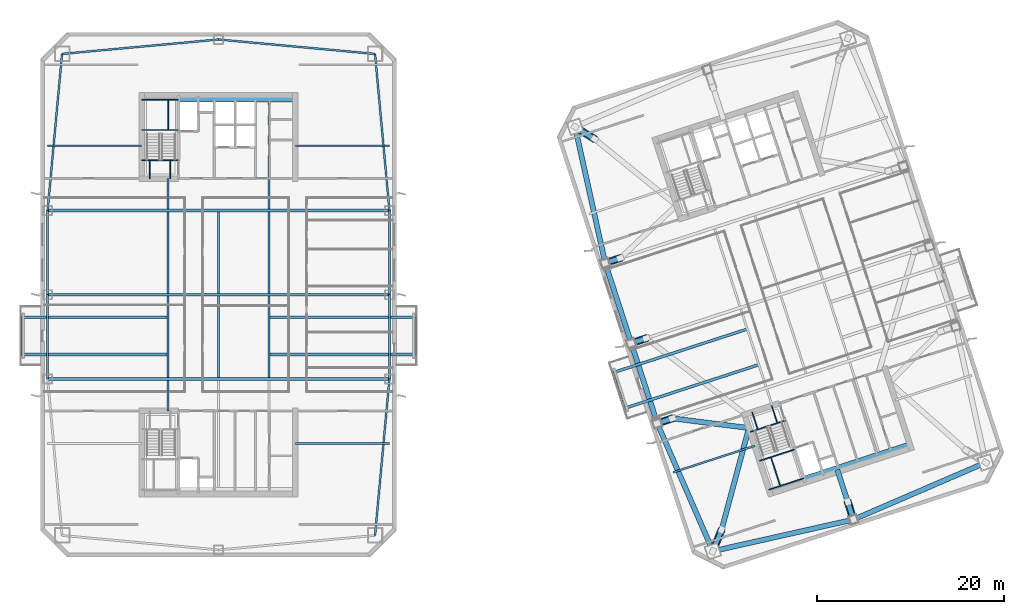
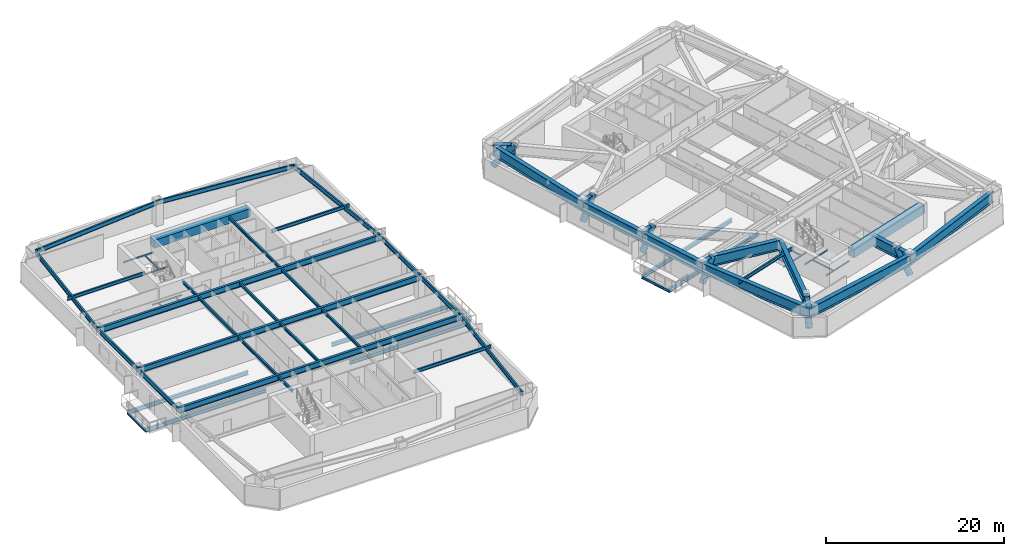
# One storey, part 2 of 17: 63 beams, 6 members.
"""IFC4 building model written with IfcOpenShell, lengths in metres."""

from ifc_helpers import new_model, si_unit, direction, frame, origin, origin_2d, place, context, subcontext, project, spatial, rectangle, hollow_circle, i_section, extrude, material, material_profile, profile_set, type_object, element, save


model = new_model("IFC4")

# Units and contexts
model_context = context("Model", 3, precision=1e-05, world=origin(), true_north=direction((0.0, 1.0)))
body_context = subcontext(model_context, "Body", "Model", "MODEL_VIEW")
ifc_project = project(units=[si_unit("LENGTHUNIT", "METRE"), si_unit("AREAUNIT", "SQUARE_METRE"), si_unit("VOLUMEUNIT", "CUBIC_METRE"), si_unit("PLANEANGLEUNIT", "RADIAN"), si_unit("MASSUNIT", "GRAM", prefix="KILO")], contexts=[model_context])

# Site, building, storey
site_placement = place(None, origin())
site = spatial("IfcSite", under=ifc_project, at=site_placement, CompositionType="ELEMENT")
building_placement = place(site_placement, origin())
building = spatial("IfcBuilding", under=site, at=building_placement, Name="Qiaolan Cultural Towers", CompositionType="ELEMENT")
storey_placement = place(building_placement, frame((0.0, 0.0, 131.10009765625)))
storey = spatial("IfcBuildingStorey", under=building, at=storey_placement, Name="L34", CompositionType="ELEMENT", Elevation=131.10009765625)

# Beams
ifc_material_1 = material(Name="Steel Q420GJB", Category="steel")
ifc_material_profile_1 = material_profile(ifc_material_1, i_section(OverallWidth=0.550048828125, OverallDepth=1.39990234375, WebThickness=0.031982421875, FlangeThickness=0.050048828125, at=origin_2d()), Name="BH1400x550x32x50")
ifc_profile_set_1 = profile_set([ifc_material_profile_1], Name="Steel Q420GJB")
beam_type_1 = type_object("IfcBeamType", Name="BM-BH1400x550x32x50", PredefinedType="BEAM", material=ifc_profile_set_1)
beam_1_placement = place(storey_placement, frame((82.79052734375, 6.611572265625, 2.52978515625), z_axis=(0.375783111515, 0.926707641654, 0.0), x_axis=(-0.926707641654, 0.375783111515, 0.0)))
element("IfcBeam", 1, at=beam_1_placement, inside=storey, type_object=beam_type_1, Name="L34 T2 Setback Transfer Girder MC-SW-A", PredefinedType="BEAM", context=body_context, shape_type="SweptSolid", body=[
    extrude(i_section(OverallWidth=0.550048828125, OverallDepth=1.39990234375, WebThickness=0.031982421875, FlangeThickness=0.050048828125, at=origin_2d()), origin(), (0.0, 0.0, 1.0), 2.47021484375),
])
beam_2_placement = place(storey_placement, frame((83.71875, 8.900634765625, 2.52978515625), z_axis=(0.2592673455, 0.965805593045, 0.0), x_axis=(-0.965805593045, 0.2592673455, 0.0)))
element("IfcBeam", 2, at=beam_2_placement, inside=storey, type_object=beam_type_1, Name="L34 T2 Setback Transfer Girder MC-SW-B", PredefinedType="BEAM", context=body_context, shape_type="SweptSolid", body=[
    extrude(i_section(OverallWidth=0.550048828125, OverallDepth=1.39990234375, WebThickness=0.031982421875, FlangeThickness=0.050048828125, at=origin_2d()), origin(), (0.0, 0.0, 1.0), 11.2470703125),
])
beam_3_placement = place(storey_placement, frame((68.069091796875, 51.919921875, 2.52978515625), z_axis=(0.848719449852, -0.528843356244, 0.0), x_axis=(0.528843356244, 0.848719449852, 0.0)))
element("IfcBeam", 3, at=beam_3_placement, inside=storey, type_object=beam_type_1, Name="L34 T2 Setback Transfer Girder MC-NW-A", PredefinedType="BEAM", context=body_context, shape_type="SweptSolid", body=[
    extrude(i_section(OverallWidth=0.550048828125, OverallDepth=1.39990234375, WebThickness=0.031982421875, FlangeThickness=0.050048828125, at=origin_2d()), origin(), (0.0, 0.0, 1.0), 2.4697265625),
])
beam_4_placement = place(storey_placement, frame((76.85107421875, 20.264404296875, 2.52978515625), z_axis=(0.951040401051, 0.309066587596, 0.0), x_axis=(-0.309066587596, 0.951040401051, 0.0)))
element("IfcBeam", 4, at=beam_4_placement, inside=storey, type_object=beam_type_1, Name="L34 T2 Setback Transfer Girder PC-W1-A", PredefinedType="BEAM", context=body_context, shape_type="SweptSolid", body=[
    extrude(i_section(OverallWidth=0.550048828125, OverallDepth=1.39990234375, WebThickness=0.031982421875, FlangeThickness=0.050048828125, at=origin_2d()), origin(), (0.0, 0.0, 1.0), 1.699951171875),
])
beam_5_placement = place(storey_placement, frame((78.4677734375, 20.789794921875, 2.52978515625), z_axis=(0.992191853059, -0.124720995519, 0.0), x_axis=(0.124720995519, 0.992191853059, 0.0)))
element("IfcBeam", 5, at=beam_5_placement, inside=storey, type_object=beam_type_1, Name="L34 T2 Setback Transfer Girder PC-W1-B", PredefinedType="BEAM", context=body_context, shape_type="SweptSolid", body=[
    extrude(i_section(OverallWidth=0.550048828125, OverallDepth=1.39990234375, WebThickness=0.031982421875, FlangeThickness=0.050048828125, at=origin_2d()), origin(), (0.0, 0.0, 1.0), 8.231201171875),
])
beam_6_placement = place(storey_placement, frame((74.06982421875, 28.823974609375, 2.52978515625), z_axis=(0.951040401051, 0.309066587596, 0.0), x_axis=(-0.309066587596, 0.951040401051, 0.0)))
element("IfcBeam", 6, at=beam_6_placement, inside=storey, type_object=beam_type_1, Name="L34 T2 Setback Transfer Girder PC-W2-A", PredefinedType="BEAM", context=body_context, shape_type="SweptSolid", body=[
    extrude(i_section(OverallWidth=0.550048828125, OverallDepth=1.39990234375, WebThickness=0.031982421875, FlangeThickness=0.050048828125, at=origin_2d()), origin(), (0.0, 0.0, 1.0), 1.699951171875),
])
beam_7_placement = place(storey_placement, frame((71.28857421875, 37.383544921875, 2.52978515625), z_axis=(0.951096313471, 0.308894484414, 0.0), x_axis=(-0.308894484414, 0.951096313471, 0.0)))
element("IfcBeam", 7, at=beam_7_placement, inside=storey, type_object=beam_type_1, Name="L34 T2 Setback Transfer Girder PC-W3-A", PredefinedType="BEAM", context=body_context, shape_type="SweptSolid", body=[
    extrude(i_section(OverallWidth=0.550048828125, OverallDepth=1.39990234375, WebThickness=0.031982421875, FlangeThickness=0.050048828125, at=origin_2d()), origin(), (0.0, 0.0, 1.0), 1.7001953125),
])
beam_8_placement = place(storey_placement, frame((97.802734375, 9.98583984375, 2.52978515625), z_axis=(-0.309077791808, 0.951036759863, 0.0), x_axis=(-0.951036759863, -0.309077791808, 0.0)))
element("IfcBeam", 8, at=beam_8_placement, inside=storey, type_object=beam_type_1, Name="L34 T2 Setback Transfer Girder PC-S0-A", PredefinedType="BEAM", context=body_context, shape_type="SweptSolid", body=[
    extrude(i_section(OverallWidth=0.550048828125, OverallDepth=1.39990234375, WebThickness=0.031982421875, FlangeThickness=0.050048828125, at=origin_2d()), origin(), (0.0, 0.0, 1.0), 2.0),
])
beam_9_placement = place(storey_placement, frame((97.1845703125, 11.887939453125, 2.52978515625), z_axis=(-0.308975661068, 0.951069945308, 0.0), x_axis=(-0.951069945308, -0.308975661068, 0.0)))
element("IfcBeam", 9, at=beam_9_placement, inside=storey, type_object=beam_type_1, Name="L34 T2 Setback Transfer Girder PC-S0-B", PredefinedType="BEAM", context=body_context, shape_type="SweptSolid", body=[
    extrude(i_section(OverallWidth=0.550048828125, OverallDepth=1.39990234375, WebThickness=0.031982421875, FlangeThickness=0.050048828125, at=origin_2d()), origin(), (0.0, 0.0, 1.0), 3.599853515625),
])
beam_10_placement = place(storey_placement, frame((82.79052734375, 6.611572265625, 2.489990234375), z_axis=(0.975658154374, 0.219296980836, 0.0), x_axis=(-0.219296980836, 0.975658154374, 0.0)))
element("IfcBeam", 10, at=beam_10_placement, inside=storey, type_object=beam_type_1, Name="L34 T2 Perimeter Spandrel Beam 1", PredefinedType="BEAM", context=body_context, shape_type="SweptSolid", body=[
    extrude(i_section(OverallWidth=0.550048828125, OverallDepth=1.39990234375, WebThickness=0.031982421875, FlangeThickness=0.050048828125, at=origin_2d()), origin(), (0.0, 0.0, 1.0), 15.38671875),
])
beam_11_placement = place(storey_placement, frame((97.802734375, 9.98583984375, 2.489990234375), z_axis=(0.918217549337, 0.396076422032, 0.0), x_axis=(-0.396076422032, 0.918217549337, 0.0)))
element("IfcBeam", 11, at=beam_11_placement, inside=storey, type_object=beam_type_1, Name="L34 T2 Perimeter Spandrel Beam 2", PredefinedType="BEAM", context=body_context, shape_type="SweptSolid", body=[
    extrude(i_section(OverallWidth=0.550048828125, OverallDepth=1.39990234375, WebThickness=0.031982421875, FlangeThickness=0.050048828125, at=origin_2d()), origin(), (0.0, 0.0, 1.0), 15.386474609375),
])
beam_12_placement = place(storey_placement, frame((68.069091796875, 51.919921875, 2.489990234375), z_axis=(0.216237644833, -0.976340760676, 0.0), x_axis=(0.976340760676, 0.216237644833, 0.0)))
element("IfcBeam", 12, at=beam_12_placement, inside=storey, type_object=beam_type_1, Name="L34 T2 Perimeter Spandrel Beam 9", PredefinedType="BEAM", context=body_context, shape_type="SweptSolid", body=[
    extrude(i_section(OverallWidth=0.550048828125, OverallDepth=1.39990234375, WebThickness=0.031982421875, FlangeThickness=0.050048828125, at=origin_2d()), origin(), (0.0, 0.0, 1.0), 14.888671875),
])
for number, where, z_axis, x_axis, name in (
    (13, (71.28857421875, 37.383544921875, 2.489990234375), (0.309024734286, -0.951054001411, 0.0), (0.951054001411, 0.309024734286, 0.0), "L34 T2 Perimeter Spandrel Beam 10"),
    (14, (74.06982421875, 28.823974609375, 2.489990234375), (0.309024734286, -0.951054001411, 0.0), (0.951054001411, 0.309024734286, 0.0), "L34 T2 Perimeter Spandrel Beam 11"),
):
    element("IfcBeam", number, at=place(storey_placement, frame(where, z_axis=z_axis, x_axis=x_axis)), inside=storey, type_object=beam_type_1, Name=name, PredefinedType="BEAM", context=body_context, shape_type="SweptSolid", body=[
        extrude(i_section(OverallWidth=0.550048828125, OverallDepth=1.39990234375, WebThickness=0.031982421875, FlangeThickness=0.050048828125, at=origin_2d()), origin(), (0.0, 0.0, 1.0), 9.0),
    ])
beam_13_placement = place(storey_placement, frame((76.85107421875, 20.264404296875, 2.489990234375), z_axis=(0.398920370799, -0.916985571185, 0.0), x_axis=(0.916985571185, 0.398920370799, 0.0)))
element("IfcBeam", 15, at=beam_13_placement, inside=storey, type_object=beam_type_1, Name="L34 T2 Perimeter Spandrel Beam 12", PredefinedType="BEAM", context=body_context, shape_type="SweptSolid", body=[
    extrude(i_section(OverallWidth=0.550048828125, OverallDepth=1.39990234375, WebThickness=0.031982421875, FlangeThickness=0.050048828125, at=origin_2d()), origin(), (0.0, 0.0, 1.0), 14.888916015625),
])
ifc_material_2 = material(Name="Steel Q355B", Category="steel")
ifc_material_profile_2 = material_profile(ifc_material_2, i_section(OverallWidth=0.300048828125, OverallDepth=0.488037109375, WebThickness=0.010986328125, FlangeThickness=0.01806640625, at=origin_2d()), Name="HM488x300x11x18")
ifc_profile_set_2 = profile_set([ifc_material_profile_2], Name="Steel Q355B")
beam_type_2 = type_object("IfcBeamType", Name="BM-HM488x300x11x18", PredefinedType="BEAM", material=ifc_profile_set_2)
for number, where, z_axis, x_axis, name in (
    (16, (24.60009765625, 27.60009765625, -0.524169921875), (-1.0, 0.0, 0.0), (0.0, -1.0, 0.0), "L34 T1 Tree Balcony Back-Spanned Bracket Beam"),
    (17, (24.60009765625, 31.60009765625, -0.524169921875), (-1.0, 0.0, 0.0), (0.0, -1.0, 0.0), "L34 T1 Tree Balcony Back-Spanned Bracket Beam"),
    (18, (35.39990234375, 27.60009765625, -0.524169921875), (1.0, 0.0, 0.0), (0.0, 1.0, 0.0), "L34 T1 Tree Balcony Back-Spanned Bracket Beam"),
    (19, (35.39990234375, 31.60009765625, -0.524169921875), (1.0, 0.0, 0.0), (0.0, 1.0, 0.0), "L34 T1 Tree Balcony Back-Spanned Bracket Beam"),
):
    element("IfcBeam", number, at=place(storey_placement, frame(where, z_axis=z_axis, x_axis=x_axis)), inside=storey, type_object=beam_type_2, Name=name, PredefinedType="BEAM", context=body_context, shape_type="SweptSolid", body=[
        extrude(i_section(OverallWidth=0.300048828125, OverallDepth=0.488037109375, WebThickness=0.010986328125, FlangeThickness=0.01806640625, at=origin_2d()), origin(), (0.0, 0.0, 1.0), 15.650146484375),
    ])
for number, where, z_axis, x_axis, name in (
    (20, (87.697998046875, 26.522705078125, -0.524169921875), (-0.951058384903, -0.309011243331, 0.0), (0.309011243331, -0.951058384903, 0.0), "L34 T2 Tree Balcony Back-Spanned Bracket Beam"),
    (21, (86.4619140625, 30.326904296875, -0.524169921875), (-0.951058384903, -0.309011243331, 0.0), (0.309011243331, -0.951058384903, 0.0), "L34 T2 Tree Balcony Back-Spanned Bracket Beam"),
):
    element("IfcBeam", number, at=place(storey_placement, frame(where, z_axis=z_axis, x_axis=x_axis)), inside=storey, type_object=beam_type_2, Name=name, PredefinedType="BEAM", context=body_context, shape_type="SweptSolid", body=[
        extrude(i_section(OverallWidth=0.300048828125, OverallDepth=0.488037109375, WebThickness=0.010986328125, FlangeThickness=0.01806640625, at=origin_2d()), origin(), (0.0, 0.0, 1.0), 15.050048828125),
    ])
ifc_material_3 = material(Name="Steel Q355B", Category="steel")
ifc_material_profile_3 = material_profile(ifc_material_3, i_section(OverallWidth=0.300048828125, OverallDepth=0.800048828125, WebThickness=0.013916015625, FlangeThickness=0.02587890625, at=origin_2d()), Name="HN800x300x14x26")
ifc_profile_set_3 = profile_set([ifc_material_profile_3], Name="Steel Q355B")
beam_type_3 = type_object("IfcBeamType", Name="BM-HN800x300x14x26", PredefinedType="BEAM", material=ifc_profile_set_3)
for number, where, z_axis, x_axis, name in (
    (22, (11.75, 25.0, 2.789794921875), (1.0, 0.0, 0.0), (0.0, 1.0, 0.0), "L34 T1 Primary Transverse Girder V1"),
    (23, (11.75, 34.0, 2.789794921875), (1.0, 0.0, 0.0), (0.0, 1.0, 0.0), "L34 T1 Primary Transverse Girder V2"),
    (24, (11.75, 43.0, 2.789794921875), (1.0, 0.0, 0.0), (0.0, 1.0, 0.0), "L34 T1 Primary Transverse Girder V3"),
):
    element("IfcBeam", number, at=place(storey_placement, frame(where, z_axis=z_axis, x_axis=x_axis)), inside=storey, type_object=beam_type_3, Name=name, PredefinedType="BEAM", context=body_context, shape_type="SweptSolid", body=[
        extrude(i_section(OverallWidth=0.300048828125, OverallDepth=0.800048828125, WebThickness=0.013916015625, FlangeThickness=0.02587890625, at=origin_2d()), origin(), (0.0, 0.0, 1.0), 36.5),
    ])
ifc_material_4 = material(Name="Steel Q355B", Category="steel")
ifc_material_profile_4 = material_profile(ifc_material_4, i_section(OverallWidth=0.175048828125, OverallDepth=0.35009765625, WebThickness=0.007080078125, FlangeThickness=0.010986328125, at=origin_2d()), Name="HN350x175x7x11")
ifc_profile_set_4 = profile_set([ifc_material_profile_4], Name="Steel Q355B")
beam_type_4 = type_object("IfcBeamType", Name="BM-JST-HN350x175x7x11", PredefinedType="JOIST", material=ifc_profile_set_4)
for number, where, z_axis, x_axis, name in (
    (25, (8.949951171875, 27.60009765625, -0.524169921875), (0.0, 1.0, 0.0), (-1.0, 0.0, 0.0), "L34 T1 Tree Balcony Outer Edge Beam"),
    (26, (51.050048828125, 27.60009765625, -0.524169921875), (0.0, 1.0, 0.0), (-1.0, 0.0, 0.0), "L34 T1 Tree Balcony Outer Edge Beam"),
    (27, (73.384521484375, 21.8720703125, -0.524169921875), (-0.309022586479, 0.951054699292, 0.0), (-0.951054699292, -0.309022586479, 0.0), "L34 T2 Tree Balcony Outer Edge Beam"),
):
    element("IfcBeam", number, at=place(storey_placement, frame(where, z_axis=z_axis, x_axis=x_axis)), inside=storey, type_object=beam_type_4, Name=name, PredefinedType="JOIST", context=body_context, shape_type="SweptSolid", body=[
        extrude(i_section(OverallWidth=0.175048828125, OverallDepth=0.35009765625, WebThickness=0.007080078125, FlangeThickness=0.010986328125, at=origin_2d()), origin(), (0.0, 0.0, 1.0), 4.0),
    ])
ifc_material_5 = material(Name="Steel Q355B", Category="steel")
ifc_material_profile_5 = material_profile(ifc_material_5, i_section(OverallWidth=0.199951171875, OverallDepth=0.39990234375, WebThickness=0.008056640625, FlangeThickness=0.012939453125, at=origin_2d()), Name="HN400x200x8x13")
ifc_profile_set_5 = profile_set([ifc_material_profile_5], Name="Steel Q355B")
beam_type_5 = type_object("IfcBeamType", Name="BM-JST-HN400x200x8x13", PredefinedType="JOIST", material=ifc_profile_set_5)
beam_14_placement = place(storey_placement, frame((24.60009765625, 21.60009765625, 2.989990234375), z_axis=(0.0, 1.0, 0.0), x_axis=(-1.0, 0.0, 0.0)))
element("IfcBeam", 28, at=beam_14_placement, inside=storey, type_object=beam_type_5, Name="L34 T1 Secondary Floor Joist U1-1", PredefinedType="JOIST", context=body_context, shape_type="SweptSolid", body=[
    extrude(i_section(OverallWidth=0.199951171875, OverallDepth=0.39990234375, WebThickness=0.008056640625, FlangeThickness=0.012939453125, at=origin_2d()), origin(), (0.0, 0.0, 1.0), 3.25),
])
for number, where, z_axis, x_axis, name in (
    (29, (24.60009765625, 25.14990234375, 2.989990234375), (0.0, 1.0, 0.0), (-1.0, 0.0, 0.0), "L34 T1 Secondary Floor Joist U1-2"),
    (30, (24.60009765625, 34.14990234375, 2.989990234375), (0.0, 1.0, 0.0), (-1.0, 0.0, 0.0), "L34 T1 Secondary Floor Joist U1-3"),
):
    element("IfcBeam", number, at=place(storey_placement, frame(where, z_axis=z_axis, x_axis=x_axis)), inside=storey, type_object=beam_type_5, Name=name, PredefinedType="JOIST", context=body_context, shape_type="SweptSolid", body=[
        extrude(i_section(OverallWidth=0.199951171875, OverallDepth=0.39990234375, WebThickness=0.008056640625, FlangeThickness=0.012939453125, at=origin_2d()), origin(), (0.0, 0.0, 1.0), 8.7001953125),
    ])
beam_15_placement = place(storey_placement, frame((24.60009765625, 43.14990234375, 2.989990234375), z_axis=(0.0, 1.0, 0.0), x_axis=(-1.0, 0.0, 0.0)))
element("IfcBeam", 31, at=beam_15_placement, inside=storey, type_object=beam_type_5, Name="L34 T1 Secondary Floor Joist U1-4", PredefinedType="JOIST", context=body_context, shape_type="SweptSolid", body=[
    extrude(i_section(OverallWidth=0.199951171875, OverallDepth=0.39990234375, WebThickness=0.008056640625, FlangeThickness=0.012939453125, at=origin_2d()), origin(), (0.0, 0.0, 1.0), 3.25),
])
for number, where, z_axis, x_axis, name in (
    (32, (30.0, 25.14990234375, 2.989990234375), (0.0, 1.0, 0.0), (-1.0, 0.0, 0.0), "L34 T1 Secondary Floor Joist U2-2"),
    (33, (30.0, 34.14990234375, 2.989990234375), (0.0, 1.0, 0.0), (-1.0, 0.0, 0.0), "L34 T1 Secondary Floor Joist U2-3"),
    (34, (35.39990234375, 25.14990234375, 2.989990234375), (0.0, 1.0, 0.0), (-1.0, 0.0, 0.0), "L34 T1 Secondary Floor Joist U3-2"),
    (35, (35.39990234375, 34.14990234375, 2.989990234375), (0.0, 1.0, 0.0), (-1.0, 0.0, 0.0), "L34 T1 Secondary Floor Joist U3-3"),
):
    element("IfcBeam", number, at=place(storey_placement, frame(where, z_axis=z_axis, x_axis=x_axis)), inside=storey, type_object=beam_type_5, Name=name, PredefinedType="JOIST", context=body_context, shape_type="SweptSolid", body=[
        extrude(i_section(OverallWidth=0.199951171875, OverallDepth=0.39990234375, WebThickness=0.008056640625, FlangeThickness=0.012939453125, at=origin_2d()), origin(), (0.0, 0.0, 1.0), 8.7001953125),
    ])
beam_16_placement = place(storey_placement, frame((35.39990234375, 43.14990234375, 2.989990234375), z_axis=(0.0, 1.0, 0.0), x_axis=(-1.0, 0.0, 0.0)))
element("IfcBeam", 36, at=beam_16_placement, inside=storey, type_object=beam_type_5, Name="L34 T1 Secondary Floor Joist U3-4", PredefinedType="JOIST", context=body_context, shape_type="SweptSolid", body=[
    extrude(i_section(OverallWidth=0.199951171875, OverallDepth=0.39990234375, WebThickness=0.008056640625, FlangeThickness=0.012939453125, at=origin_2d()), origin(), (0.0, 0.0, 1.0), 11.4501953125),
])
ifc_material_6 = material(Name="Steel Q355B", Category="steel")
ifc_material_profile_6 = material_profile(ifc_material_6, i_section(OverallWidth=0.199951171875, OverallDepth=0.449951171875, WebThickness=0.009033203125, FlangeThickness=0.013916015625, at=origin_2d()), Name="HN450x200x9x14")
ifc_profile_set_6 = profile_set([ifc_material_profile_6], Name="Steel Q355B")
beam_type_6 = type_object("IfcBeamType", Name="BM-LNT-HN450x200x9x14", PredefinedType="LINTEL", material=ifc_profile_set_6)
for number, where, z_axis, x_axis, name in (
    (37, (21.800048828125, 49.89990234375, 2.96484375), (-1.0, 0.0, 0.0), (0.0, -1.0, 0.0), "L34 T1 Core Flank Tie Lintel WN"),
    (38, (38.199951171875, 18.10009765625, 2.96484375), (1.0, 0.0, 0.0), (0.0, 1.0, 0.0), "L34 T1 Core Flank Tie Lintel ES"),
    (39, (38.199951171875, 49.89990234375, 2.96484375), (1.0, 0.0, 0.0), (0.0, 1.0, 0.0), "L34 T1 Core Flank Tie Lintel EN"),
):
    element("IfcBeam", number, at=place(storey_placement, frame(where, z_axis=z_axis, x_axis=x_axis)), inside=storey, type_object=beam_type_6, Name=name, PredefinedType="LINTEL", context=body_context, shape_type="SweptSolid", body=[
        extrude(i_section(OverallWidth=0.199951171875, OverallDepth=0.449951171875, WebThickness=0.009033203125, FlangeThickness=0.013916015625, at=origin_2d()), origin(), (0.0, 0.0, 1.0), 10.050048828125),
    ])
beam_17_placement = place(storey_placement, frame((87.252685546875, 17.861083984375, 2.96484375), z_axis=(-0.951059948176, -0.309006431933, 0.0), x_axis=(0.309006431933, -0.951059948176, 0.0)))
element("IfcBeam", 40, at=beam_17_placement, inside=storey, type_object=beam_type_6, Name="L34 T2 Core Flank Tie Lintel WS", PredefinedType="LINTEL", context=body_context, shape_type="SweptSolid", body=[
    extrude(i_section(OverallWidth=0.199951171875, OverallDepth=0.449951171875, WebThickness=0.009033203125, FlangeThickness=0.013916015625, at=origin_2d()), origin(), (0.0, 0.0, 1.0), 9.14990234375),
])
ifc_material_7 = material(Name="Concrete C50", Category="concrete")
ifc_material_profile_7 = material_profile(ifc_material_7, rectangle(XDim=0.89990234375, YDim=1.10009765625, at=origin_2d()), Name="RC900x1100")
ifc_profile_set_7 = profile_set([ifc_material_profile_7], Name="Concrete C50")
beam_type_7 = type_object("IfcBeamType", Name="BM-RC900x1100", PredefinedType="BEAM", material=ifc_profile_set_7)
beam_18_placement = place(storey_placement, frame((25.719970703125, 55.050048828125, 2.639892578125), z_axis=(1.0, 0.0, 0.0), x_axis=(0.0, 1.0, 0.0)))
element("IfcBeam", 41, at=beam_18_placement, inside=storey, type_object=beam_type_7, Name="L34 T1 Core Header Girder N", PredefinedType="BEAM", context=body_context, shape_type="SweptSolid", body=[
    extrude(rectangle(XDim=0.89990234375, YDim=1.10009765625, at=origin_2d()), origin(), (0.0, 0.0, 1.0), 12.47998046875),
])
beam_19_placement = place(storey_placement, frame((92.572265625, 14.174560546875, 2.639892578125), z_axis=(0.951056266386, 0.309017763514, 0.0), x_axis=(-0.309017763514, 0.951056266386, 0.0)))
element("IfcBeam", 42, at=beam_19_placement, inside=storey, type_object=beam_type_7, Name="L34 T2 Core Header Girder S", PredefinedType="BEAM", context=body_context, shape_type="SweptSolid", body=[
    extrude(rectangle(XDim=0.89990234375, YDim=1.10009765625, at=origin_2d()), origin(), (0.0, 0.0, 1.0), 11.880126953125),
])
ifc_material_8 = material(Name="Steel Q355B", Category="steel")
ifc_material_profile_8 = material_profile(ifc_material_8, i_section(OverallWidth=0.199951171875, OverallDepth=0.60009765625, WebThickness=0.010986328125, FlangeThickness=0.01708984375, at=origin_2d()), Name="HN600x200x11x17")
ifc_profile_set_8 = profile_set([ifc_material_profile_8], Name="Steel Q355B")
beam_type_8 = type_object("IfcBeamType", Name="BM-SPD-HN600x200x11x17", PredefinedType="SPANDREL", material=ifc_profile_set_8)
beam_20_placement = place(storey_placement, frame((46.7099609375, 8.2900390625, 2.889892578125), z_axis=(0.09177399582, 0.995779862064, 0.0), x_axis=(-0.995779862064, 0.09177399582, 0.0)))
element("IfcBeam", 43, at=beam_20_placement, inside=storey, type_object=beam_type_8, Name="L34 T1 Perimeter Spandrel Beam 3", PredefinedType="SPANDREL", context=body_context, shape_type="SweptSolid", body=[
    extrude(i_section(OverallWidth=0.199951171875, OverallDepth=0.60009765625, WebThickness=0.010986328125, FlangeThickness=0.01708984375, at=origin_2d()), origin(), (0.0, 0.0, 1.0), 16.78076171875),
])
for number, where, z_axis, x_axis, name in (
    (44, (48.25, 25.0, 2.889892578125), (0.0, 1.0, 0.0), (-1.0, 0.0, 0.0), "L34 T1 Perimeter Spandrel Beam 4"),
    (45, (48.25, 34.0, 2.889892578125), (0.0, 1.0, 0.0), (-1.0, 0.0, 0.0), "L34 T1 Perimeter Spandrel Beam 5"),
):
    element("IfcBeam", number, at=place(storey_placement, frame(where, z_axis=z_axis, x_axis=x_axis)), inside=storey, type_object=beam_type_8, Name=name, PredefinedType="SPANDREL", context=body_context, shape_type="SweptSolid", body=[
        extrude(i_section(OverallWidth=0.199951171875, OverallDepth=0.60009765625, WebThickness=0.010986328125, FlangeThickness=0.01708984375, at=origin_2d()), origin(), (0.0, 0.0, 1.0), 9.0),
    ])
for number, where, z_axis, x_axis, name in (
    (46, (48.25, 43.0, 2.889892578125), (-0.09177399582, 0.995779862064, 0.0), (-0.995779862064, -0.09177399582, 0.0), "L34 T1 Perimeter Spandrel Beam 6"),
    (47, (46.7099609375, 59.7099609375, 2.889892578125), (-0.995779862064, 0.09177399582, 0.0), (-0.09177399582, -0.995779862064, 0.0), "L34 T1 Perimeter Spandrel Beam 7"),
    (48, (30.0, 61.25, 2.889892578125), (-0.995779862064, -0.09177399582, 0.0), (0.09177399582, -0.995779862064, 0.0), "L34 T1 Perimeter Spandrel Beam 8"),
    (49, (13.2900390625, 59.7099609375, 2.889892578125), (-0.09177399582, -0.995779862064, 0.0), (0.995779862064, -0.09177399582, 0.0), "L34 T1 Perimeter Spandrel Beam 9"),
):
    element("IfcBeam", number, at=place(storey_placement, frame(where, z_axis=z_axis, x_axis=x_axis)), inside=storey, type_object=beam_type_8, Name=name, PredefinedType="SPANDREL", context=body_context, shape_type="SweptSolid", body=[
        extrude(i_section(OverallWidth=0.199951171875, OverallDepth=0.60009765625, WebThickness=0.010986328125, FlangeThickness=0.01708984375, at=origin_2d()), origin(), (0.0, 0.0, 1.0), 16.78076171875),
    ])
for number, where, z_axis, x_axis, name in (
    (50, (11.75, 43.0, 2.889892578125), (0.0, -1.0, 0.0), (1.0, 0.0, 0.0), "L34 T1 Perimeter Spandrel Beam 10"),
    (51, (11.75, 34.0, 2.889892578125), (0.0, -1.0, 0.0), (1.0, 0.0, 0.0), "L34 T1 Perimeter Spandrel Beam 11"),
):
    element("IfcBeam", number, at=place(storey_placement, frame(where, z_axis=z_axis, x_axis=x_axis)), inside=storey, type_object=beam_type_8, Name=name, PredefinedType="SPANDREL", context=body_context, shape_type="SweptSolid", body=[
        extrude(i_section(OverallWidth=0.199951171875, OverallDepth=0.60009765625, WebThickness=0.010986328125, FlangeThickness=0.01708984375, at=origin_2d()), origin(), (0.0, 0.0, 1.0), 9.0),
    ])
ifc_material_9 = material(Name="Steel Q355B", Category="steel")
ifc_material_profile_9 = material_profile(ifc_material_9, i_section(OverallWidth=0.10009765625, OverallDepth=0.199951171875, WebThickness=0.005615234375, FlangeThickness=0.008056640625, at=origin_2d()), Name="HN200x100x5.5x8")
ifc_profile_set_9 = profile_set([ifc_material_profile_9], Name="Steel Q355B")
beam_type_9 = type_object("IfcBeamType", Name="BM-STTRIM-200", PredefinedType="BEAM", material=ifc_profile_set_9)
beam_21_placement = place(storey_placement, frame((21.800048828125, 48.340087890625, -0.460205078125), z_axis=(1.0, 0.0, 0.0), x_axis=(0.0, 1.0, 0.0)))
element("IfcBeam", 52, at=beam_21_placement, inside=storey, type_object=beam_type_9, Name="L34 ST-W2 Floor Landing Header Beam", PredefinedType="BEAM", context=body_context, shape_type="SweptSolid", body=[
    extrude(i_section(OverallWidth=0.10009765625, OverallDepth=0.199951171875, WebThickness=0.005615234375, FlangeThickness=0.008056640625, at=origin_2d()), origin(), (0.0, 0.0, 1.0), 3.919921875),
])
for number, where, z_axis, x_axis, name in (
    (53, (22.64990234375, 46.39990234375, -0.460205078125), (0.0, 1.0, 0.0), (-1.0, 0.0, 0.0), "L34 ST-W2 Floor Landing Stringer 1"),
    (54, (24.85009765625, 46.39990234375, -0.460205078125), (0.0, 1.0, 0.0), (-1.0, 0.0, 0.0), "L34 ST-W2 Floor Landing Stringer 2"),
):
    element("IfcBeam", number, at=place(storey_placement, frame(where, z_axis=z_axis, x_axis=x_axis)), inside=storey, type_object=beam_type_9, Name=name, PredefinedType="BEAM", context=body_context, shape_type="SweptSolid", body=[
        extrude(i_section(OverallWidth=0.10009765625, OverallDepth=0.199951171875, WebThickness=0.005615234375, FlangeThickness=0.008056640625, at=origin_2d()), origin(), (0.0, 0.0, 1.0), 1.940185546875),
    ])
for number, where, z_axis, x_axis, name in (
    (55, (21.800048828125, 51.588623046875, 1.4248046875), (1.0, 0.0, 0.0), (0.0, 1.0, 0.0), "L34 ST-W2 Stair Landing Support Beam 1-1"),
    (56, (21.800048828125, 54.820068359375, 1.4248046875), (1.0, 0.0, 0.0), (0.0, 1.0, 0.0), "L34 ST-W2 Stair Landing Support Beam 1-2"),
):
    element("IfcBeam", number, at=place(storey_placement, frame(where, z_axis=z_axis, x_axis=x_axis)), inside=storey, type_object=beam_type_9, Name=name, PredefinedType="BEAM", context=body_context, shape_type="SweptSolid", body=[
        extrude(i_section(OverallWidth=0.10009765625, OverallDepth=0.199951171875, WebThickness=0.005615234375, FlangeThickness=0.008056640625, at=origin_2d()), origin(), (0.0, 0.0, 1.0), 3.919921875),
    ])
beam_22_placement = place(storey_placement, frame((24.610107421875, 51.588623046875, 1.4248046875), z_axis=(0.0, 1.0, 0.0), x_axis=(-1.0, 0.0, 0.0)))
element("IfcBeam", 57, at=beam_22_placement, inside=storey, type_object=beam_type_9, Name="L34 ST-W2 Stair Landing Trimmer 1", PredefinedType="BEAM", context=body_context, shape_type="SweptSolid", body=[
    extrude(i_section(OverallWidth=0.10009765625, OverallDepth=0.199951171875, WebThickness=0.005615234375, FlangeThickness=0.008056640625, at=origin_2d()), origin(), (0.0, 0.0, 1.0), 3.2314453125),
])
beam_23_placement = place(storey_placement, frame((86.770751953125, 19.3447265625, -0.460205078125), z_axis=(0.951047798727, 0.309043823005, 0.0), x_axis=(-0.309043823005, 0.951047798727, 0.0)))
element("IfcBeam", 58, at=beam_23_placement, inside=storey, type_object=beam_type_9, Name="L34 ST-E1 Floor Landing Header Beam", PredefinedType="BEAM", context=body_context, shape_type="SweptSolid", body=[
    extrude(i_section(OverallWidth=0.10009765625, OverallDepth=0.199951171875, WebThickness=0.005615234375, FlangeThickness=0.008056640625, at=origin_2d()), origin(), (0.0, 0.0, 1.0), 3.919921875),
])
for number, where, z_axis, x_axis, name in (
    (59, (86.9794921875, 21.452392578125, -0.460205078125), (0.309083226701, -0.951034993558, 0.0), (0.951034993558, 0.309083226701, 0.0), "L34 ST-E1 Floor Landing Stringer 1"),
    (60, (89.07177734375, 22.13232421875, -0.460205078125), (0.309083226701, -0.951034993558, 0.0), (0.951034993558, 0.309083226701, 0.0), "L34 ST-E1 Floor Landing Stringer 2"),
):
    element("IfcBeam", number, at=place(storey_placement, frame(where, z_axis=z_axis, x_axis=x_axis)), inside=storey, type_object=beam_type_9, Name=name, PredefinedType="BEAM", context=body_context, shape_type="SweptSolid", body=[
        extrude(i_section(OverallWidth=0.10009765625, OverallDepth=0.199951171875, WebThickness=0.005615234375, FlangeThickness=0.008056640625, at=origin_2d()), origin(), (0.0, 0.0, 1.0), 1.93994140625),
    ])
for number, where, z_axis, x_axis, name in (
    (61, (87.774658203125, 16.255126953125, 1.4248046875), (0.951047798727, 0.309043823005, 0.0), (-0.309043823005, 0.951047798727, 0.0), "L34 ST-E1 Stair Landing Support Beam 1-1"),
    (62, (88.773193359375, 13.181884765625, 1.4248046875), (0.951047798727, 0.309043823005, 0.0), (-0.309043823005, 0.951047798727, 0.0), "L34 ST-E1 Stair Landing Support Beam 1-2"),
):
    element("IfcBeam", number, at=place(storey_placement, frame(where, z_axis=z_axis, x_axis=x_axis)), inside=storey, type_object=beam_type_9, Name=name, PredefinedType="BEAM", context=body_context, shape_type="SweptSolid", body=[
        extrude(i_section(OverallWidth=0.10009765625, OverallDepth=0.199951171875, WebThickness=0.005615234375, FlangeThickness=0.008056640625, at=origin_2d()), origin(), (0.0, 0.0, 1.0), 3.919921875),
    ])
beam_24_placement = place(storey_placement, frame((88.982421875, 16.6474609375, 1.4248046875), z_axis=(0.309033108495, -0.951051280349, 0.0), x_axis=(0.951051280349, 0.309033108495, 0.0)))
element("IfcBeam", 63, at=beam_24_placement, inside=storey, type_object=beam_type_9, Name="L34 ST-E1 Stair Landing Trimmer 1", PredefinedType="BEAM", context=body_context, shape_type="SweptSolid", body=[
    extrude(i_section(OverallWidth=0.10009765625, OverallDepth=0.199951171875, WebThickness=0.005615234375, FlangeThickness=0.008056640625, at=origin_2d()), origin(), (0.0, 0.0, 1.0), 3.231201171875),
])

# Members
ifc_material_10 = material(Name="Steel Q390GJB", Category="steel")
ifc_material_profile_10 = material_profile(ifc_material_10, hollow_circle(Radius=0.39990234375, WallThickness=0.0400390625, at=origin_2d()), Name="CHS800x40")
ifc_profile_set_10 = profile_set([ifc_material_profile_10], Name="Steel Q390GJB")
member_type = type_object("IfcMemberType", Name="MBR-BRC-CHS800x40", PredefinedType="BRACE", material=ifc_profile_set_10)
member_1_placement = place(storey_placement, frame((82.79052734375, 6.611572265625, 0.2998046875), z_axis=(0.242203642967, 0.597291256301, 0.764578675141), x_axis=(-0.926707641654, 0.375783111515, 0.0)))
element("IfcMember", 64, at=member_1_placement, inside=storey, type_object=member_type, Name="L34 T2 Setback Transfer Raker Strut MC-SW", PredefinedType="BRACE", context=body_context, shape_type="SweptSolid", body=[
    extrude(hollow_circle(Radius=0.39990234375, WallThickness=0.0400390625, at=origin_2d()), origin(), (0.0, 0.0, 1.0), 3.83251953125),
])
member_2_placement = place(storey_placement, frame((68.069091796875, 51.919921875, 0.2998046875), z_axis=(0.546990058958, -0.340833544773, 0.764613869975), x_axis=(0.528843356244, 0.848719449852, 0.0)))
element("IfcMember", 65, at=member_2_placement, inside=storey, type_object=member_type, Name="L34 T2 Setback Transfer Raker Strut MC-NW", PredefinedType="BRACE", context=body_context, shape_type="SweptSolid", body=[
    extrude(hollow_circle(Radius=0.39990234375, WallThickness=0.0400390625, at=origin_2d()), origin(), (0.0, 0.0, 1.0), 3.832275390625),
])
for number, where, z_axis, x_axis, name in (
    (66, (76.85107421875, 20.264404296875, 0.2998046875), (0.477243453801, 0.155093312078, 0.864976733995), (-0.309066587596, 0.951040401051, 0.0), "L34 T2 Setback Transfer Raker Strut PC-W1"),
    (67, (74.06982421875, 28.823974609375, 0.2998046875), (0.477243453801, 0.155093312078, 0.864976733995), (-0.309066587596, 0.951040401051, 0.0), "L34 T2 Setback Transfer Raker Strut PC-W2"),
    (68, (71.28857421875, 37.383544921875, 0.2998046875), (0.477304439179, 0.155017642862, 0.864956647897), (-0.308894484414, 0.951096313471, 0.0), "L34 T2 Setback Transfer Raker Strut PC-W3"),
):
    element("IfcMember", number, at=place(storey_placement, frame(where, z_axis=z_axis, x_axis=x_axis)), inside=storey, type_object=member_type, Name=name, PredefinedType="BRACE", context=body_context, shape_type="SweptSolid", body=[
        extrude(hollow_circle(Radius=0.39990234375, WallThickness=0.0400390625, at=origin_2d()), origin(), (0.0, 0.0, 1.0), 3.3876953125),
    ])
member_3_placement = place(storey_placement, frame((97.802734375, 9.98583984375, 0.2998046875), z_axis=(-0.174244549646, 0.536152956672, 0.825941186751), x_axis=(-0.951036759863, -0.309077791808, 0.0)))
element("IfcMember", 69, at=member_3_placement, inside=storey, type_object=member_type, Name="L34 T2 Setback Transfer Raker Strut PC-S0", PredefinedType="BRACE", context=body_context, shape_type="SweptSolid", body=[
    extrude(hollow_circle(Radius=0.39990234375, WallThickness=0.0400390625, at=origin_2d()), origin(), (0.0, 0.0, 1.0), 3.547607421875),
])

save(model, "model.ifc")
